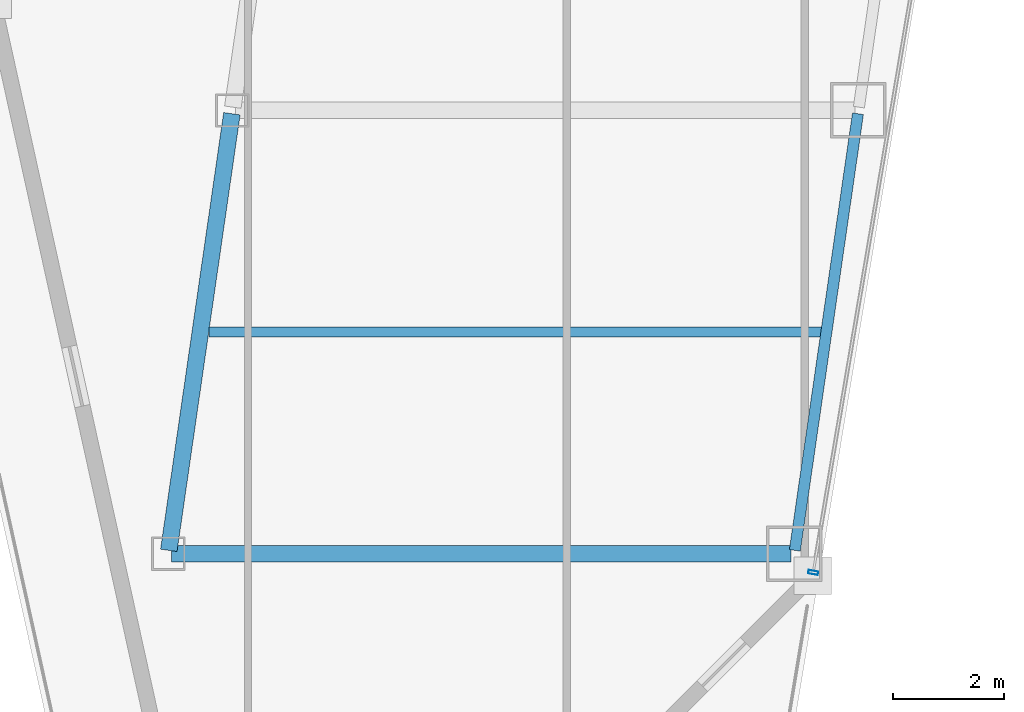
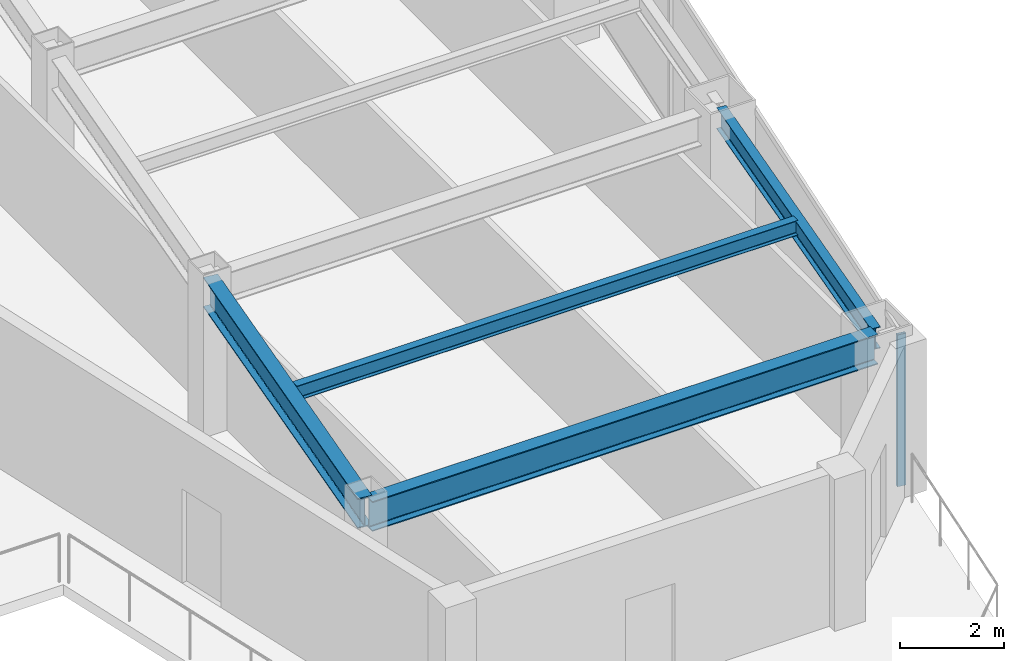
# One storey, part 9 of 31: 4 beams, 1 member, 1 element without a shape of its own.
"""IFC4 building model written with IfcOpenShell, lengths in metres."""

from ifc_helpers import new_model, si_unit, direction, frame, origin, origin_2d, place, context, subcontext, project, spatial, hollow_rectangle, i_section, extrude, material, material_profile, profile_set, type_object, element, aggregate, save


model = new_model("IFC4")

# Units and contexts
model_context = context("Model", 3, precision=1e-05, world=origin(), true_north=direction((0.0, 1.0)))
body_context = subcontext(model_context, "Body", "Model", "MODEL_VIEW")
ifc_project = project(units=[si_unit("LENGTHUNIT", "METRE"), si_unit("AREAUNIT", "SQUARE_METRE"), si_unit("VOLUMEUNIT", "CUBIC_METRE"), si_unit("PLANEANGLEUNIT", "RADIAN"), si_unit("MASSUNIT", "GRAM", prefix="KILO")], contexts=[model_context])

# Site, building, storey
site_placement = place(None, origin())
site = spatial("IfcSite", under=ifc_project, at=site_placement, CompositionType="ELEMENT")
building_placement = place(site_placement, origin())
building = spatial("IfcBuilding", under=site, at=building_placement, Name="Saevonmaru Cultural Tower", CompositionType="ELEMENT")
storey_placement = place(building_placement, frame((0.0, 0.0, 167.60009765625)))
storey = spatial("IfcBuildingStorey", under=building, at=storey_placement, Name="L37", CompositionType="ELEMENT", Elevation=167.60009765625)

# Beams
ifc_material_1 = material(Name="Steel SM355", Category="steel")
ifc_material_profile_1 = material_profile(ifc_material_1, i_section(OverallWidth=0.300048828125, OverallDepth=0.699951171875, WebThickness=0.012939453125, FlangeThickness=0.02392578125, FilletRadius=0.02587890625, at=origin_2d()), Name="H-700x300x13x24")
ifc_profile_set_1 = profile_set([ifc_material_profile_1], Name="Steel SM355")
beam_type_1 = type_object("IfcBeamType", Name="BM-G-H700", PredefinedType="BEAM", material=ifc_profile_set_1)
beam_1_placement = place(storey_placement, frame((38.08056640625, 16.059326171875, 3.199951171875), z_axis=(0.143022161059, 0.989719486241, 0.0), x_axis=(-0.989719486241, 0.143022161059, 0.0)))
element("IfcBeam", 1, at=beam_1_placement, inside=storey, type_object=beam_type_1, Name="L37 East Atrium Girder 1", PredefinedType="BEAM", context=body_context, shape_type="SweptSolid", body=[
    extrude(i_section(OverallWidth=0.300048828125, OverallDepth=0.699951171875, WebThickness=0.012939453125, FlangeThickness=0.02392578125, FilletRadius=0.02587890625, at=origin_2d()), origin(), (0.0, 0.0, 1.0), 7.963134765625),
])
beam_2_placement = place(storey_placement, frame((38.132080078125, 16.0, 3.199951171875), z_axis=(1.0, 0.0, 0.0), x_axis=(0.0, 1.0, 0.0)))
element("IfcBeam", 2, at=beam_2_placement, inside=storey, type_object=beam_type_1, Name="L37 East Wing Transverse Girder 1", PredefinedType="BEAM", context=body_context, shape_type="SweptSolid", body=[
    extrude(i_section(OverallWidth=0.300048828125, OverallDepth=0.699951171875, WebThickness=0.012939453125, FlangeThickness=0.02392578125, FilletRadius=0.02587890625, at=origin_2d()), origin(), (0.0, 0.0, 1.0), 11.179931640625),
])
ifc_material_profile_2 = material_profile(ifc_material_1, i_section(OverallWidth=0.175048828125, OverallDepth=0.35009765625, WebThickness=0.007080078125, FlangeThickness=0.010986328125, FilletRadius=0.012939453125, at=origin_2d()), Name="H-350x175x7x11")
ifc_profile_set_2 = profile_set([ifc_material_profile_2], Name="Steel SM355")
beam_type_2 = type_object("IfcBeamType", Name="BM-J-H350", PredefinedType="JOIST", material=ifc_profile_set_2)
beam_3_placement = place(storey_placement, frame((38.80810546875, 20.0, 3.375), z_axis=(1.0, 0.0, 0.0), x_axis=(0.0, 1.0, 0.0)))
element("IfcBeam", 3, at=beam_3_placement, inside=storey, type_object=beam_type_2, Name="L37 East Wing Floor Joist 1", PredefinedType="JOIST", context=body_context, shape_type="SweptSolid", body=[
    extrude(i_section(OverallWidth=0.175048828125, OverallDepth=0.35009765625, WebThickness=0.007080078125, FlangeThickness=0.010986328125, FilletRadius=0.012939453125, at=origin_2d()), origin(), (0.0, 0.0, 1.0), 11.081787109375),
])
ifc_material_profile_3 = material_profile(ifc_material_1, i_section(OverallWidth=0.199951171875, OverallDepth=0.5, WebThickness=0.010009765625, FlangeThickness=0.01611328125, FilletRadius=0.02001953125, at=origin_2d()), Name="H-500x200x10x16")
ifc_profile_set_3 = profile_set([ifc_material_profile_3], Name="Steel SM355")
beam_type_3 = type_object("IfcBeamType", Name="BM-SP-H500", PredefinedType="SPANDREL", material=ifc_profile_set_3)
beam_4_placement = place(storey_placement, frame((49.380615234375, 16.059326171875, 3.2998046875), z_axis=(0.142992129437, 0.989723825579, 0.0), x_axis=(-0.989723825579, 0.142992129437, 0.0)))
element("IfcBeam", 4, at=beam_4_placement, inside=storey, type_object=beam_type_3, Name="L37 East Splayed Spandrel 1", PredefinedType="SPANDREL", context=body_context, shape_type="SweptSolid", body=[
    extrude(i_section(OverallWidth=0.199951171875, OverallDepth=0.5, WebThickness=0.010009765625, FlangeThickness=0.01611328125, FilletRadius=0.02001953125, at=origin_2d()), origin(), (0.0, 0.0, 1.0), 7.963134765625),
])

# Curtain wall, member
ifc_material_2 = material(Name="Satin Bronze Anodised Aluminium", Category="aluminium")
curtain_wall_type = type_object("IfcCurtainWallType", Name="CW-TYP-A", PredefinedType="NOTDEFINED", material=ifc_material_2)
curtain_wall_placement = place(storey_placement, origin())
curtain_wall = element("IfcCurtainWall", 5, at=curtain_wall_placement, inside=storey, type_object=curtain_wall_type, Name="L37 Unitised Curtain Wall E8", PredefinedType="NOTDEFINED")
ifc_material_profile_4 = material_profile(ifc_material_2, hollow_rectangle(XDim=0.06494140625, YDim=0.179931640625, WallThickness=0.00390625, at=origin_2d()), Name="ALU-MULL-180x65x4")
ifc_profile_set_4 = profile_set([ifc_material_profile_4], Name="Satin Bronze Anodised Aluminium")
member_type = type_object("IfcMemberType", Name="ML-CW-180x65", PredefinedType="MULLION", material=ifc_profile_set_4)
member_placement = place(storey_placement, frame((49.712158203125, 15.6591796875, 0.0), z_axis=(0.0, 0.0, 1.0), x_axis=(0.16692169721, 0.985970155228, 0.0)))
member = element("IfcMember", 6, at=member_placement, type_object=member_type, Name="CW-TW-L37-E8 mullion 1", PredefinedType="MULLION", context=body_context, shape_type="SweptSolid", body=[
    extrude(hollow_rectangle(XDim=0.06494140625, YDim=0.179931640625, WallThickness=0.00390625, at=origin_2d()), origin(), (0.0, 0.0, 1.0), 3.5498046875),
])
aggregate(curtain_wall, [member])

save(model, "model.ifc")
